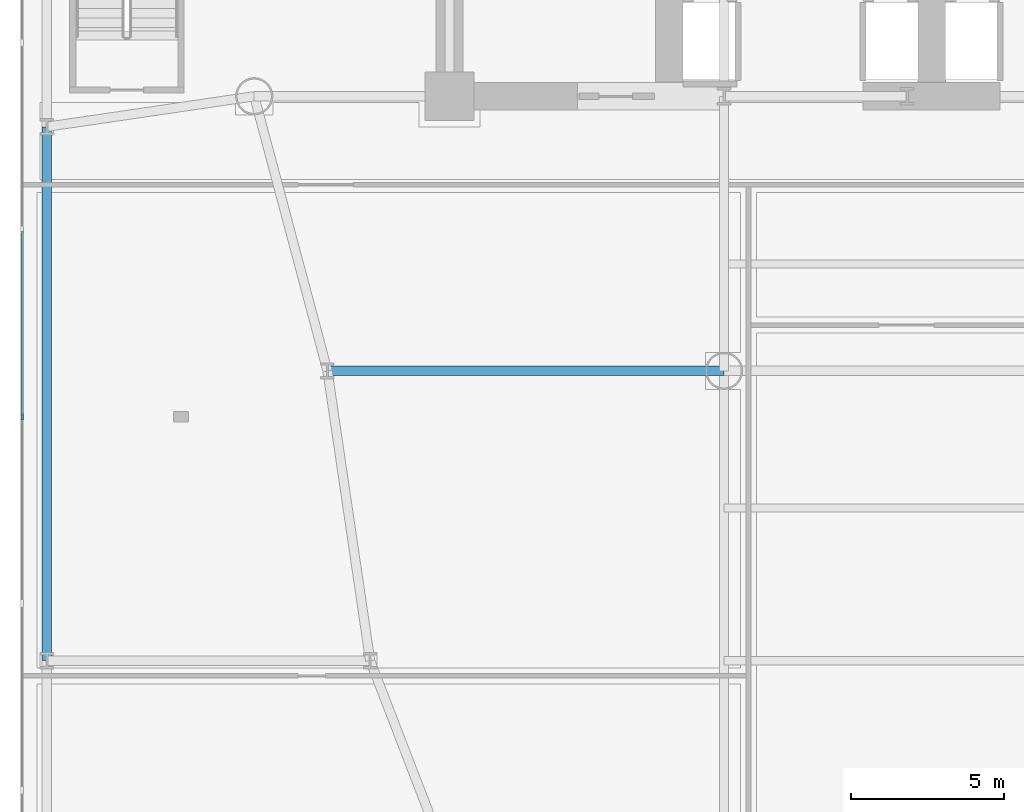
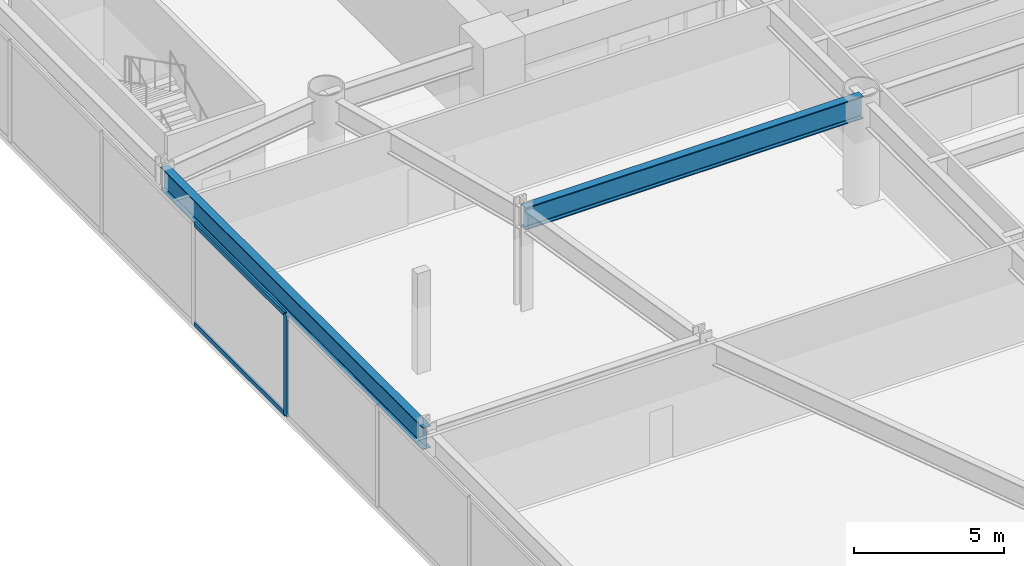
# One storey, part 3 of 24: 3 members, 2 beams, 1 element without a shape of its own.
"""IFC4 building model written with IfcOpenShell, lengths in metres."""

from ifc_helpers import new_model, si_unit, direction, frame, origin, origin_2d, place, context, subcontext, project, spatial, rectangle, i_section, extrude, source, transform, mapped, material, layer, layer_set, material_profile, profile_set, type_object, element, aggregate, save


model = new_model("IFC4")

# Units and contexts
model_context = context("Model", 3, precision=1e-05, world=origin(), true_north=direction((0.0, 1.0)))
body_context = subcontext(model_context, "Body", "Model", "MODEL_VIEW")
ifc_project = project(units=[si_unit("LENGTHUNIT", "METRE"), si_unit("AREAUNIT", "SQUARE_METRE"), si_unit("VOLUMEUNIT", "CUBIC_METRE"), si_unit("PLANEANGLEUNIT", "RADIAN"), si_unit("MASSUNIT", "GRAM", prefix="KILO")], contexts=[model_context])

# Site, building, storey
site_placement = place(None, origin())
site = spatial("IfcSite", under=ifc_project, at=site_placement, CompositionType="ELEMENT")
building_placement = place(site_placement, origin())
building = spatial("IfcBuilding", under=site, at=building_placement, Name="Vaeldorn Concourse Tower", CompositionType="ELEMENT")
storey_placement = place(building_placement, frame((0.0, 0.0, 10.0)))
storey = spatial("IfcBuildingStorey", under=building, at=storey_placement, Name="L02", CompositionType="ELEMENT", Elevation=10.0)

# Beams
ifc_material_1 = material(Name="Steel S355", Category="steel")
ifc_material_profile_1 = material_profile(ifc_material_1, i_section(OverallWidth=0.302001953125, OverallDepth=0.909912109375, WebThickness=0.02099609375, FlangeThickness=0.0400390625, FilletRadius=0.030029296875, at=origin_2d()), Name="HEM 900")
ifc_profile_set_1 = profile_set([ifc_material_profile_1], Name="Steel S355")
beam_type = type_object("IfcBeamType", Name="BM-PG-HEM900", PredefinedType="BEAM", material=ifc_profile_set_1)
shared_shape_1 = source(origin(), body_context, "Body", "SweptSolid", [
    extrude(i_section(OverallWidth=0.302001953125, OverallDepth=0.909912109375, WebThickness=0.02099609375, FlangeThickness=0.0400390625, FilletRadius=0.030029296875, at=origin_2d()), origin(), (0.0, 0.0, 1.0), 17.5),
])
beam_1_placement = place(storey_placement, frame((0.800048828125, 18.0, 3.6650390625), z_axis=(0.0, 1.0, 0.0), x_axis=(-1.0, 0.0, 0.0)))
element("IfcBeam", 1, at=beam_1_placement, inside=storey, type_object=beam_type, Name="Beam BM-L02-C-PW2-C-PW3", PredefinedType="BEAM", context=body_context, shape_type="MappedRepresentation", body=[
    mapped(shared_shape_1, transform((0.0, 0.0, 0.0), scale=1.0)),
])
shared_shape_2 = source(origin(), body_context, "Body", "SweptSolid", [
    extrude(i_section(OverallWidth=0.302001953125, OverallDepth=0.909912109375, WebThickness=0.02099609375, FlangeThickness=0.0400390625, FilletRadius=0.030029296875, at=origin_2d()), origin(), (0.0, 0.0, 1.0), 13.0),
])
beam_2_placement = place(storey_placement, frame((10.0, 27.5, 3.6650390625), z_axis=(1.0, 0.0, 0.0), x_axis=(0.0, 1.0, 0.0)))
element("IfcBeam", 2, at=beam_2_placement, inside=storey, type_object=beam_type, Name="Beam BM-L02-C-FLW1-C-TW1", PredefinedType="BEAM", context=body_context, shape_type="MappedRepresentation", body=[
    mapped(shared_shape_2, transform((0.0, 0.0, 0.0), scale=1.0)),
])

# Curtain wall, members
ifc_material_2 = material(Name="Anodised Bronze Aluminium", Category="aluminium")
ifc_layer = layer(ifc_material_2, 0.239990234375)
ifc_layer_set = layer_set([ifc_layer], Name="Anodised Bronze Aluminium")
curtain_wall_type = type_object("IfcCurtainWallType", Name="CW-SYS-04", PredefinedType="NOTDEFINED", material=ifc_layer_set)
curtain_wall_placement = place(storey_placement, origin())
curtain_wall = element("IfcCurtainWall", 3, at=curtain_wall_placement, inside=storey, type_object=curtain_wall_type, Name="Unitised Curtain Wall CW-L02-E07-1", PredefinedType="NOTDEFINED")
ifc_material_profile_2 = material_profile(ifc_material_2, rectangle(XDim=0.074951171875, YDim=0.179931640625, at=origin_2d()), Name="CWT 75x180")
ifc_profile_set_2 = profile_set([ifc_material_profile_2], Name="Anodised Bronze Aluminium")
member_type_1 = type_object("IfcMemberType", Name="CWT-BRONZE-180", PredefinedType="USERDEFINED", material=ifc_profile_set_2)
shared_shape_3 = source(origin(), body_context, "Body", "SweptSolid", [
    extrude(rectangle(XDim=0.074951171875, YDim=0.179931640625, at=origin_2d()), origin(), (0.0, 0.0, 1.0), 6.0498046875),
])
member_1_placement = place(storey_placement, frame((0.0, 32.08740234375, 0.03759765625), z_axis=(0.0, -1.0, 0.0), x_axis=(1.0, 0.0, 0.0)))
member_1 = element("IfcMember", 4, at=member_1_placement, type_object=member_type_1, Name="CW-04 transom 4.1", ObjectType="TRANSOM", PredefinedType="USERDEFINED", context=body_context, shape_type="MappedRepresentation", body=[
    mapped(shared_shape_3, transform((0.0, 0.0, 0.0), scale=1.0)),
])
member_2_placement = place(storey_placement, frame((0.0, 32.08740234375, 4.08251953125), z_axis=(0.0, -1.0, 0.0), x_axis=(1.0, 0.0, 0.0)))
member_2 = element("IfcMember", 5, at=member_2_placement, type_object=member_type_1, Name="CW-04 transom 4.2", ObjectType="TRANSOM", PredefinedType="USERDEFINED", context=body_context, shape_type="MappedRepresentation", body=[
    mapped(shared_shape_3, transform((0.0, 0.0, 0.0), scale=1.0)),
])
ifc_material_profile_3 = material_profile(ifc_material_2, rectangle(XDim=0.074951171875, YDim=0.219970703125, at=origin_2d()), Name="CWM 75x220")
ifc_profile_set_3 = profile_set([ifc_material_profile_3], Name="Anodised Bronze Aluminium")
member_type_2 = type_object("IfcMemberType", Name="CWM-BRONZE-220", PredefinedType="MULLION", material=ifc_profile_set_3)
shared_shape_4 = source(origin(), body_context, "Body", "SweptSolid", [
    extrude(rectangle(XDim=0.074951171875, YDim=0.219970703125, at=origin_2d()), origin(), (0.0, 0.0, 1.0), 4.1201171875),
])
member_3_placement = place(storey_placement, frame((0.0, 26.0, 0.0), z_axis=(0.0, 0.0, 1.0), x_axis=(1.0, 0.0, 0.0)))
member_3 = element("IfcMember", 6, at=member_3_placement, type_object=member_type_2, Name="CW-04 mullion 5", PredefinedType="MULLION", context=body_context, shape_type="MappedRepresentation", body=[
    mapped(shared_shape_4, transform((0.0, 0.0, 0.0), scale=1.0)),
])
aggregate(curtain_wall, [member_3, member_1, member_2])

save(model, "model.ifc")
